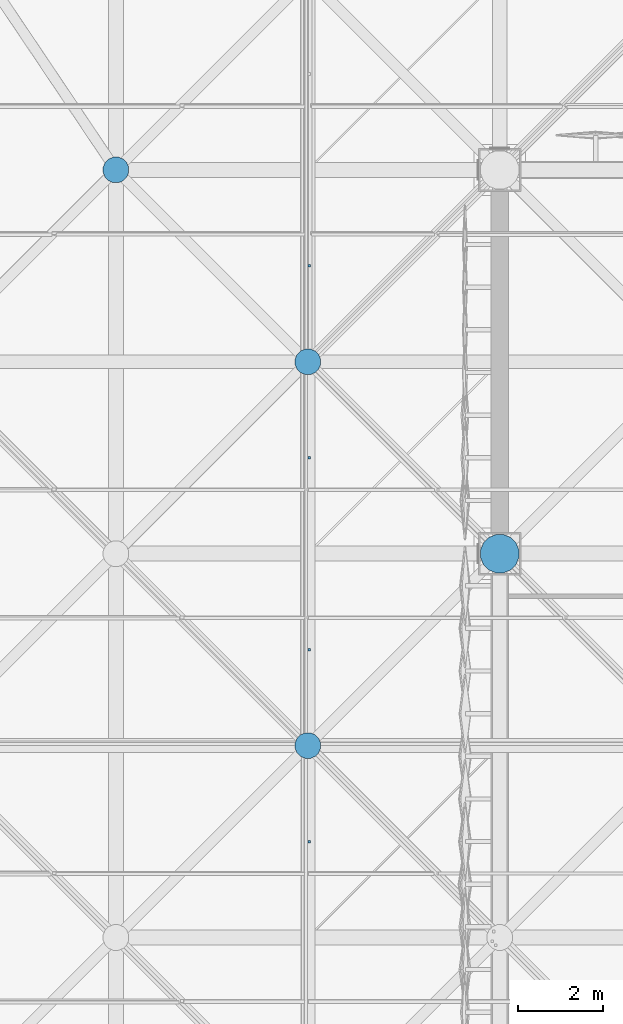
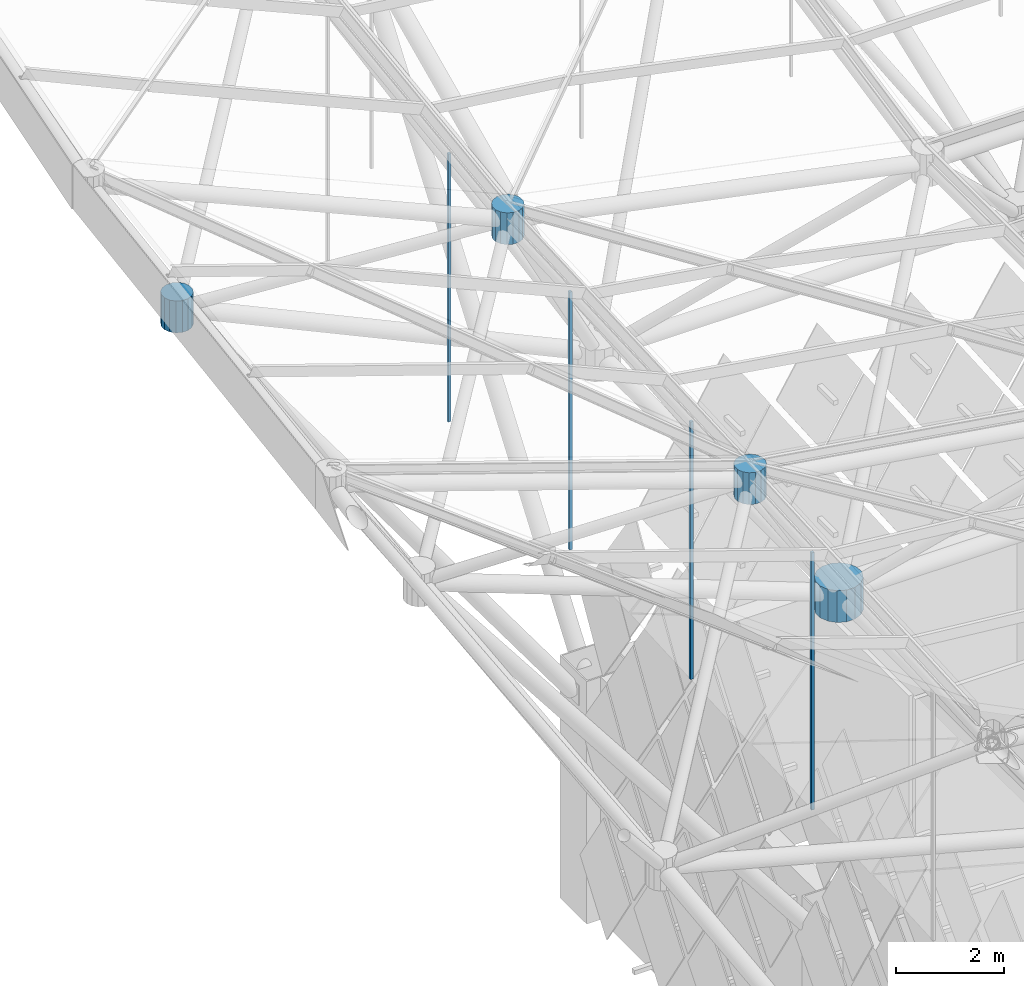
# One storey, part 316 of 437: 8 discrete accessories.
"""IFC4 building model written with IfcOpenShell, lengths in metres."""

from ifc_helpers import new_model, si_unit, direction, frame, origin, place, context, subcontext, project, spatial, polyline, outline, extrude, material, type_object, element, save


model = new_model("IFC4")

# Units and contexts
model_context = context("Model", 3, precision=1e-05, world=origin(), true_north=direction((0.0, 1.0)))
body_context = subcontext(model_context, "Body", "Model", "MODEL_VIEW")
ifc_project = project(units=[si_unit("LENGTHUNIT", "METRE"), si_unit("AREAUNIT", "SQUARE_METRE"), si_unit("VOLUMEUNIT", "CUBIC_METRE"), si_unit("PLANEANGLEUNIT", "RADIAN"), si_unit("MASSUNIT", "GRAM", prefix="KILO")], contexts=[model_context])

# Site, building, storey
site_placement = place(None, origin())
site = spatial("IfcSite", under=ifc_project, at=site_placement, CompositionType="ELEMENT")
building_placement = place(site_placement, origin())
building = spatial("IfcBuilding", under=site, at=building_placement, Name="Opaline Strait Convention Centre", CompositionType="ELEMENT")
storey_placement = place(building_placement, frame((0.0, 0.0, 11.5)))
storey = spatial("IfcBuildingStorey", under=building, at=storey_placement, Name="L02", CompositionType="ELEMENT", Elevation=11.5)

# Discrete accessories
ifc_material_1 = material(Name="Steel Q355B", Category="steel")
discrete_accessory_type_1 = type_object("IfcDiscreteAccessoryType", Name="Soffit hanger 60x60 steel", PredefinedType="BRACKET", material=ifc_material_1)
discrete_accessory_1_placement = place(storey_placement, frame((0.0, 0.0, 13.247802734375)))
element("IfcDiscreteAccessory", 1, at=discrete_accessory_1_placement, inside=storey, type_object=discrete_accessory_type_1, Name="Soffit hanger", PredefinedType="BRACKET", context=body_context, shape_type="SweptSolid", body=[
    extrude(outline(polyline([(94.5048828125, 137.219970703125), (94.56494140625, 137.219970703125), (94.56494140625, 137.280029296875), (94.5048828125, 137.280029296875), (94.5048828125, 137.219970703125)])), origin(), (0.0, 0.0, 1.0), 5.834716796875),
])
discrete_accessory_2_placement = place(storey_placement, frame((0.0, 0.0, 13.478271484375)))
element("IfcDiscreteAccessory", 2, at=discrete_accessory_2_placement, inside=storey, type_object=discrete_accessory_type_1, Name="Soffit hanger", PredefinedType="BRACKET", context=body_context, shape_type="SweptSolid", body=[
    extrude(outline(polyline([(94.5048828125, 141.719970703125), (94.56494140625, 141.719970703125), (94.56494140625, 141.780029296875), (94.5048828125, 141.780029296875), (94.5048828125, 141.719970703125)])), origin(), (0.0, 0.0, 1.0), 5.84130859375),
])
discrete_accessory_3_placement = place(storey_placement, frame((0.0, 0.0, 13.68359375)))
element("IfcDiscreteAccessory", 3, at=discrete_accessory_3_placement, inside=storey, type_object=discrete_accessory_type_1, Name="Soffit hanger", PredefinedType="BRACKET", context=body_context, shape_type="SweptSolid", body=[
    extrude(outline(polyline([(94.5048828125, 146.219970703125), (94.56494140625, 146.219970703125), (94.56494140625, 146.280029296875), (94.5048828125, 146.280029296875), (94.5048828125, 146.219970703125)])), origin(), (0.0, 0.0, 1.0), 5.854248046875),
])
discrete_accessory_4_placement = place(storey_placement, frame((0.0, 0.0, 13.85888671875)))
element("IfcDiscreteAccessory", 4, at=discrete_accessory_4_placement, inside=storey, type_object=discrete_accessory_type_1, Name="Soffit hanger", PredefinedType="BRACKET", context=body_context, shape_type="SweptSolid", body=[
    extrude(outline(polyline([(94.5048828125, 150.719970703125), (94.56494140625, 150.719970703125), (94.56494140625, 150.780029296875), (94.5048828125, 150.780029296875), (94.5048828125, 150.719970703125)])), origin(), (0.0, 0.0, 1.0), 6.080810546875),
])
ifc_material_2 = material(Name="Cast steel ZG300-500H (300 MPa)", Category="steel")
discrete_accessory_type_2 = type_object("IfcDiscreteAccessoryType", Name="Space frame bearing node hub D900", PredefinedType="USERDEFINED", material=ifc_material_2)
discrete_accessory_5_placement = place(storey_placement, frame((0.0, 0.0, 12.139892578125)))
element("IfcDiscreteAccessory", 5, at=discrete_accessory_5_placement, inside=storey, type_object=discrete_accessory_type_2, Name="Bottom node 2/12", ObjectType="NODE HUB", PredefinedType="USERDEFINED", context=body_context, shape_type="SweptSolid", body=[
    extrude(outline(polyline([(99.449951171875, 144.089599609375), (99.381591796875, 144.2548828125), (99.2548828125, 144.381591796875), (99.089599609375, 144.449951171875), (98.910400390625, 144.449951171875), (98.7451171875, 144.381591796875), (98.618408203125, 144.2548828125), (98.550048828125, 144.089599609375), (98.550048828125, 143.910400390625), (98.618408203125, 143.7451171875), (98.7451171875, 143.618408203125), (98.910400390625, 143.550048828125), (99.089599609375, 143.550048828125), (99.2548828125, 143.618408203125), (99.381591796875, 143.7451171875), (99.449951171875, 143.910400390625), (99.449951171875, 144.089599609375)])), origin(), (0.0, 0.0, 1.0), 0.72021484375),
])
discrete_accessory_type_3 = type_object("IfcDiscreteAccessoryType", Name="Space frame node hub D600", PredefinedType="USERDEFINED", material=ifc_material_2)
discrete_accessory_6_placement = place(storey_placement, frame((0.0, 0.0, 19.012939453125)))
element("IfcDiscreteAccessory", 6, at=discrete_accessory_6_placement, inside=storey, type_object=discrete_accessory_type_3, Name="Top node 2/12", ObjectType="NODE HUB", PredefinedType="USERDEFINED", context=body_context, shape_type="SweptSolid", body=[
    extrude(outline(polyline([(94.800048828125, 139.559814453125), (94.75439453125, 139.669921875), (94.669921875, 139.75439453125), (94.559814453125, 139.800048828125), (94.440185546875, 139.800048828125), (94.330078125, 139.75439453125), (94.24560546875, 139.669921875), (94.199951171875, 139.559814453125), (94.199951171875, 139.440185546875), (94.24560546875, 139.330078125), (94.330078125, 139.24560546875), (94.440185546875, 139.199951171875), (94.559814453125, 139.199951171875), (94.669921875, 139.24560546875), (94.75439453125, 139.330078125), (94.800048828125, 139.440185546875), (94.800048828125, 139.559814453125)])), origin(), (0.0, 0.0, 1.0), 0.719970703125),
])
discrete_accessory_7_placement = place(storey_placement, frame((0.0, 0.0, 19.449462890625)))
element("IfcDiscreteAccessory", 7, at=discrete_accessory_7_placement, inside=storey, type_object=discrete_accessory_type_3, Name="Top node 2/13", ObjectType="NODE HUB", PredefinedType="USERDEFINED", context=body_context, shape_type="SweptSolid", body=[
    extrude(outline(polyline([(94.800048828125, 148.559814453125), (94.75439453125, 148.669921875), (94.669921875, 148.75439453125), (94.559814453125, 148.800048828125), (94.440185546875, 148.800048828125), (94.330078125, 148.75439453125), (94.24560546875, 148.669921875), (94.199951171875, 148.559814453125), (94.199951171875, 148.440185546875), (94.24560546875, 148.330078125), (94.330078125, 148.24560546875), (94.440185546875, 148.199951171875), (94.559814453125, 148.199951171875), (94.669921875, 148.24560546875), (94.75439453125, 148.330078125), (94.800048828125, 148.440185546875), (94.800048828125, 148.559814453125)])), origin(), (0.0, 0.0, 1.0), 0.719970703125),
])
discrete_accessory_8_placement = place(storey_placement, frame((0.0, 0.0, 16.29638671875)))
element("IfcDiscreteAccessory", 8, at=discrete_accessory_8_placement, inside=storey, type_object=discrete_accessory_type_3, Name="Bottom node 1/13", ObjectType="NODE HUB", PredefinedType="USERDEFINED", context=body_context, shape_type="SweptSolid", body=[
    extrude(outline(polyline([(90.300048828125, 153.059814453125), (90.25439453125, 153.169921875), (90.169921875, 153.25439453125), (90.059814453125, 153.300048828125), (89.940185546875, 153.300048828125), (89.830078125, 153.25439453125), (89.74560546875, 153.169921875), (89.699951171875, 153.059814453125), (89.699951171875, 152.940185546875), (89.74560546875, 152.830078125), (89.830078125, 152.74560546875), (89.940185546875, 152.699951171875), (90.059814453125, 152.699951171875), (90.169921875, 152.74560546875), (90.25439453125, 152.830078125), (90.300048828125, 152.940185546875), (90.300048828125, 153.059814453125)])), origin(), (0.0, 0.0, 1.0), 0.719970703125),
])

save(model, "model.ifc")
